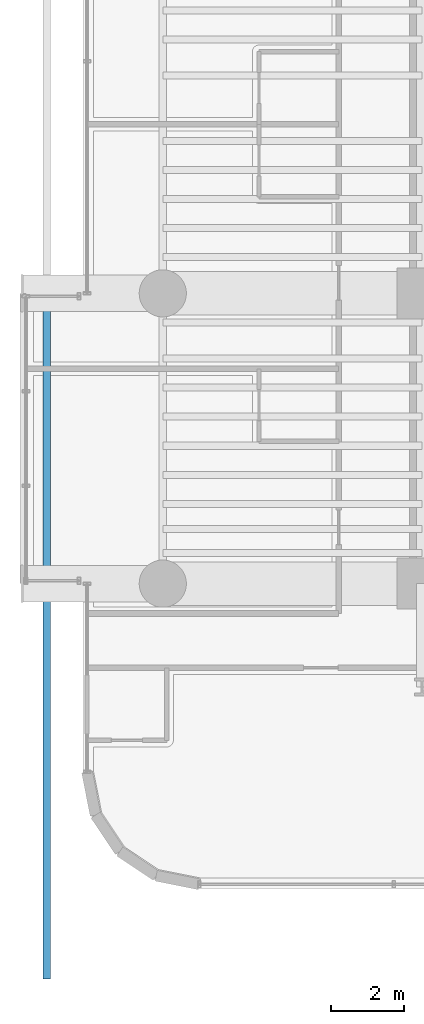
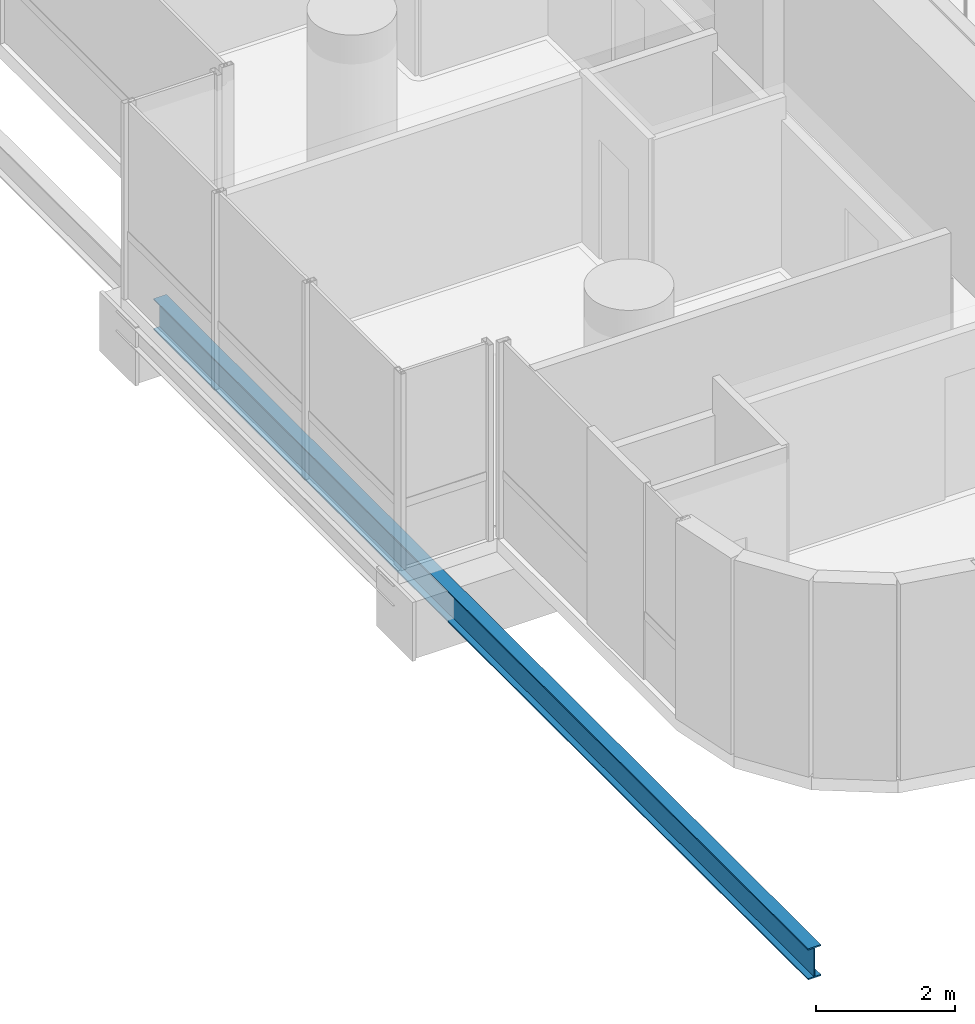
# One storey, part 3 of 50: 1 beam.
"""IFC4 building model written with IfcOpenShell, lengths in metres."""

from ifc_helpers import new_model, si_unit, direction, frame, origin, origin_2d, place, context, subcontext, project, spatial, i_section, extrude, source, transform, mapped, material, material_profile, profile_set, type_object, element, save


model = new_model("IFC4")

# Units and contexts
model_context = context("Model", 3, precision=1e-05, world=origin(), true_north=direction((0.0, 1.0)))
body_context = subcontext(model_context, "Body", "Model", "MODEL_VIEW")
ifc_project = project(units=[si_unit("LENGTHUNIT", "METRE"), si_unit("AREAUNIT", "SQUARE_METRE"), si_unit("VOLUMEUNIT", "CUBIC_METRE"), si_unit("PLANEANGLEUNIT", "RADIAN"), si_unit("MASSUNIT", "GRAM", prefix="KILO")], contexts=[model_context])

# Site, building, storey
site_placement = place(None, origin())
site = spatial("IfcSite", under=ifc_project, at=site_placement, CompositionType="ELEMENT")
building_placement = place(site_placement, origin())
building = spatial("IfcBuilding", under=site, at=building_placement, Name="Valdorenza Pilgrim Sanctuary Tower", CompositionType="ELEMENT")
storey_placement = place(building_placement, frame((0.0, 0.0, 26.0)))
storey = spatial("IfcBuildingStorey", under=building, at=storey_placement, Name="L05", CompositionType="ELEMENT", Elevation=26.0)

# Beam
ifc_material = material(Name="Steel ASTM A992 Grade 50", Category="steel")
ifc_material_profile = material_profile(ifc_material, i_section(OverallWidth=0.214111328125, OverallDepth=0.549072265625, WebThickness=0.0146484375, FlangeThickness=0.023681640625, at=origin_2d()), Name="W21X93")
ifc_profile_set = profile_set([ifc_material_profile], Name="Steel ASTM A992 Grade 50")
beam_type = type_object("IfcBeamType", Name="STR-BM-SPN-W21A", PredefinedType="SPANDREL", material=ifc_profile_set)
shared_shape = source(origin(), body_context, "Body", "SweptSolid", [
    extrude(i_section(OverallWidth=0.214111328125, OverallDepth=0.549072265625, WebThickness=0.0146484375, FlangeThickness=0.023681640625, at=origin_2d()), origin(), (0.0, 0.0, 1.0), 18.89990234375),
])
beam_placement = place(storey_placement, frame((-33.0, -21.5, -0.514404296875), z_axis=(0.0, 1.0, 0.0), x_axis=(-1.0, 0.0, 0.0)))
element("IfcBeam", 1, at=beam_placement, inside=storey, type_object=beam_type, Name="L05 Floor Girder POD-SPN-WS", PredefinedType="SPANDREL", context=body_context, shape_type="MappedRepresentation", body=[
    mapped(shared_shape, transform((0.0, 0.0, 0.0), x_axis=(1.0, 0.0, 0.0), y_axis=(0.0, 1.0, 0.0), z_axis=(0.0, 0.0, 1.0), scale=1.0)),
])

save(model, "model.ifc")
